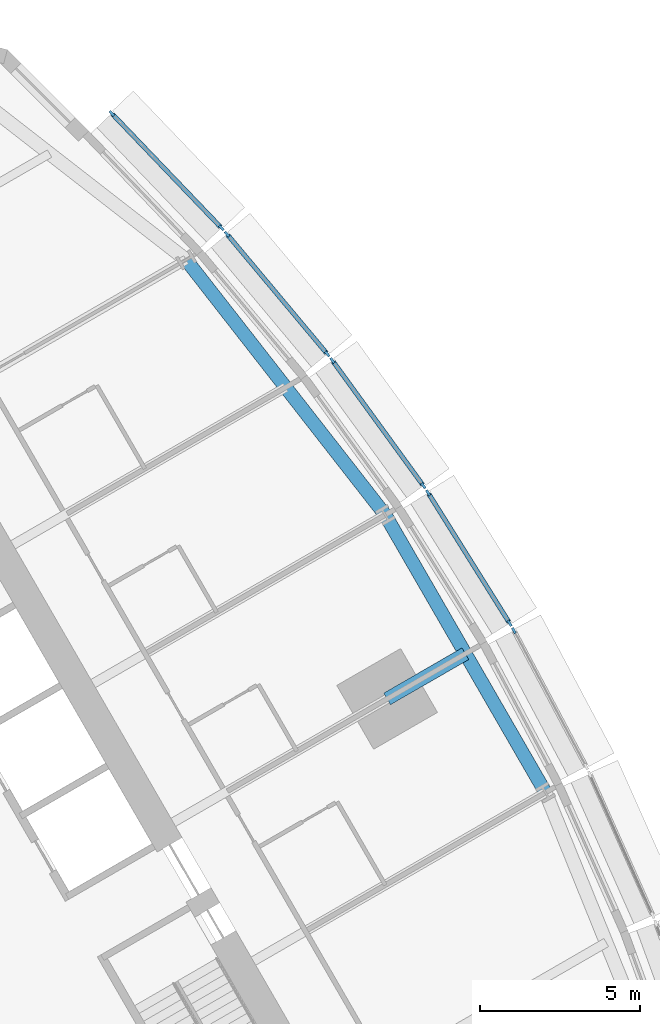
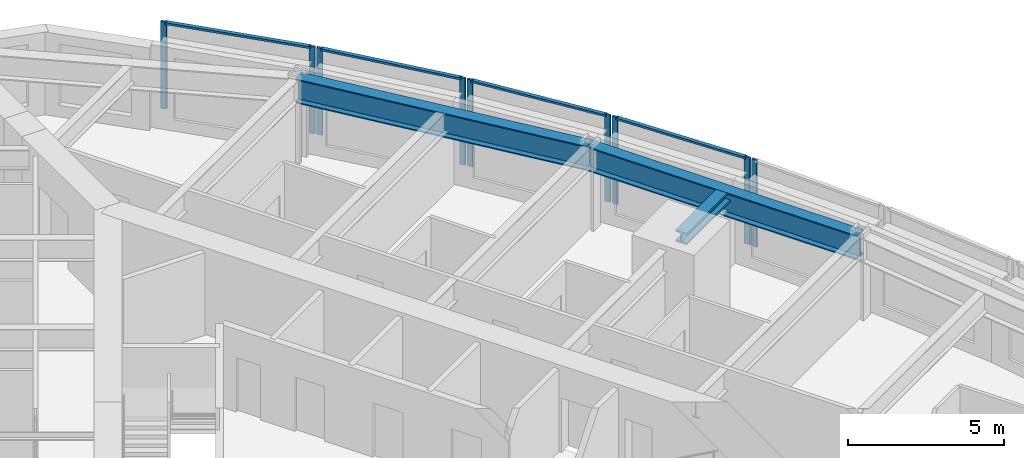
# One storey, part 5 of 14: 13 members, 3 beams, 5 elements without a shape of their own.
"""IFC4 building model written with IfcOpenShell, lengths in metres."""

import ifcopenshell
import ifcopenshell.guid

model = None  # the IFC model being written
_history = None  # IfcOwnerHistory: only IFC2X3 demands one
_inside = {}  # id of a spatial element -> (the spatial element, [elements in it])
_under = {}  # id of a project, library or spatial element -> (it, [spatial elements below it])
_declared = {}  # id of a project -> (the project, [libraries it declares])
_typed = {}  # id of a type object -> (the type object, [elements of that type])
_made_of = {}  # id of a material, layer set ... -> (it, [elements and type objects made of it])


def new_model(schema):
    """Start an empty IFC model of exactly this schema.

    Asked for "IFC4X3", IfcOpenShell would pick the latest addendum, in which some entities
    have other attributes; the version numbers below select the first issue.
    IFC2X3 requires an IfcOwnerHistory on every rooted entity: one is made here for all.
    """
    global model, _history
    if schema == "IFC4X3":
        model = ifcopenshell.file(schema_version=(4, 3, 0, 0))
    else:
        model = ifcopenshell.file(schema=schema)
    _inside.clear()
    _under.clear()
    _declared.clear()
    _typed.clear()
    _made_of.clear()
    _history = None
    if model.schema == "IFC2X3":
        org = make("IfcOrganization", Name="unknown")
        user = make(
            "IfcPersonAndOrganization",
            ThePerson=make("IfcPerson", FamilyName="unknown"),
            TheOrganization=org,
        )
        app = make(
            "IfcApplication",
            ApplicationDeveloper=org,
            Version="unknown",
            ApplicationFullName="unknown",
            ApplicationIdentifier="unknown",
        )
        _history = make(
            "IfcOwnerHistory",
            OwningUser=user,
            OwningApplication=app,
            ChangeAction="ADDED",
            CreationDate=0,
        )
    return model


def make(cls, **values):
    """One entity of the class cls with the attributes given. An attribute that is None is left unset."""
    return model.create_entity(
        cls, **{name: value for name, value in values.items() if value is not None}
    )


def rooted(cls, **values):
    """An entity with a GlobalId (a new one), such as an element, a storey or a relation."""
    return make(cls, GlobalId=ifcopenshell.guid.new(), OwnerHistory=_history, **values)


def si_unit(unit_type, name, prefix=None):
    """IfcSIUnit, for example si_unit("LENGTHUNIT", "METRE", prefix="MILLI")."""
    return make("IfcSIUnit", UnitType=unit_type, Prefix=prefix, Name=name)


def assignment(units):
    """IfcUnitAssignment: the units of a project."""
    return None if units is None else make("IfcUnitAssignment", Units=units)


def point(xyz):
    """IfcCartesianPoint."""
    return None if xyz is None else make("IfcCartesianPoint", Coordinates=xyz)


def direction(xyz):
    """IfcDirection."""
    return None if xyz is None else make("IfcDirection", DirectionRatios=xyz)


def frame(location, z_axis=None, x_axis=None):
    """IfcAxis2Placement3D, a coordinate frame: its origin and axes. An axis left out is left unset."""
    return make(
        "IfcAxis2Placement3D",
        Location=point(location),
        Axis=direction(z_axis),
        RefDirection=direction(x_axis),
    )


def frame_2d(location, x_axis=None):
    """IfcAxis2Placement2D, a coordinate frame in the plane: its origin and x axis."""
    return make(
        "IfcAxis2Placement2D", Location=point(location), RefDirection=direction(x_axis)
    )


def origin():
    """The frame at (0, 0, 0) with its axes left unset."""
    return frame((0.0, 0.0, 0.0))


def origin_2d():
    """The frame at (0, 0) in the plane with its x axis left unset."""
    return frame_2d((0.0, 0.0))


def place(relative_to, where):
    """IfcLocalPlacement: puts the frame where relative to a parent placement (None: the world)."""
    return make(
        "IfcLocalPlacement", PlacementRelTo=relative_to, RelativePlacement=where
    )


def context(
    kind, dimensions, precision=None, world=None, true_north=None, identifier=None
):
    """IfcGeometricRepresentationContext, for example the 3D "Model" context."""
    return make(
        "IfcGeometricRepresentationContext",
        ContextIdentifier=identifier,
        ContextType=kind,
        CoordinateSpaceDimension=dimensions,
        Precision=precision,
        WorldCoordinateSystem=world,
        TrueNorth=true_north,
    )


def subcontext(parent, identifier, kind, view, scale=None):
    """IfcGeometricRepresentationSubContext, for example "Body" below "Model"."""
    return make(
        "IfcGeometricRepresentationSubContext",
        ContextIdentifier=identifier,
        ContextType=kind,
        ParentContext=parent,
        TargetScale=scale,
        TargetView=view,
    )


def project(units=None, contexts=None):
    """IfcProject with its units and contexts."""
    return rooted(
        "IfcProject",
        Name="project",
        RepresentationContexts=contexts,
        UnitsInContext=assignment(units),
    )


def spatial(cls, under=None, at=None, **own):
    """A site, building, storey or space (cls), placed at a placement, below another one or the project."""
    s = rooted(cls, ObjectPlacement=at, **own)
    if under is not None:
        _under.setdefault(under.id(), (under, []))[1].append(s)
    return s


def profile(cls, at=None, kind="AREA", **sizes):
    """A parametric profile (cls). Its sizes go by their IFC names, for example OverallWidth=200.0."""
    return make(cls, ProfileType=kind, Position=at, **sizes)


def rectangle(**sizes):
    """IfcRectangleProfileDef."""
    return profile("IfcRectangleProfileDef", **sizes)


def i_section(**sizes):
    """IfcIShapeProfileDef."""
    return profile("IfcIShapeProfileDef", **sizes)


def extrude(swept, where, along, depth):
    """IfcExtrudedAreaSolid: the profile swept, set in the frame where, extruded along a direction by depth."""
    return make(
        "IfcExtrudedAreaSolid",
        SweptArea=swept,
        Position=where,
        ExtrudedDirection=direction(along),
        Depth=depth,
    )


def shape(context_of_items, identifier, shape_type, items):
    """IfcShapeRepresentation: the items that make up one representation, for example the "Body"."""
    return make(
        "IfcShapeRepresentation",
        ContextOfItems=context_of_items,
        RepresentationIdentifier=identifier,
        RepresentationType=shape_type,
        Items=items,
    )


def material(Name=None, Category=None):
    """IfcMaterial."""
    return make("IfcMaterial", Name=Name, Category=Category)


def material_profile(
    of_material, cross_section, Name=None, Category=None, Priority=None
):
    """IfcMaterialProfile: a cross section and its material."""
    return make(
        "IfcMaterialProfile",
        Name=Name,
        Material=of_material,
        Profile=cross_section,
        Priority=Priority,
        Category=Category,
    )


def profile_set(profiles, Name=None, composite=None):
    """IfcMaterialProfileSet."""
    return make(
        "IfcMaterialProfileSet",
        Name=Name,
        MaterialProfiles=profiles,
        CompositeProfile=composite,
    )


def made_of(thing, what):
    """Note that an element or type object is made of a material, layer set ...; save() writes the relation."""
    if what is not None:
        _made_of.setdefault(what.id(), (what, []))[1].append(thing)
    return thing


def type_object(cls, material=None, **own):
    """A type object (cls), such as IfcWallType, which elements share."""
    return made_of(rooted(cls, **own), material)


def element(
    cls,
    number,
    at=None,
    inside=None,
    cuts=None,
    type_object=None,
    material=None,
    context=None,
    identifier="Body",
    shape_type=None,
    held_by="IfcProductDefinitionShape",
    body=None,
    shapes=None,
    **own,
):
    """One element of the class cls, such as IfcWall. Its Tag is "e" and its number.

    at: its placement. inside: the storey or other place that contains it. cuts: it is an
    opening in that element (IfcRelVoidsElement). A single representation is given by context,
    identifier, shape_type and body (its items); several are given by shapes. held_by: the class
    of the entity that holds the representations. save() writes the other relations.
    """
    e = rooted(cls, Tag="e%d" % number, ObjectPlacement=at, **own)
    if body is not None:
        shapes = [shape(context, identifier, shape_type, body)]
    if shapes is not None:
        e.Representation = make(held_by, Representations=shapes)
    if inside is not None:
        _inside.setdefault(inside.id(), (inside, []))[1].append(e)
    if cuts is not None:
        rooted(
            "IfcRelVoidsElement", RelatingBuildingElement=cuts, RelatedOpeningElement=e
        )
    if type_object is not None:
        _typed.setdefault(type_object.id(), (type_object, []))[1].append(e)
    return made_of(e, material)


def aggregate(whole, parts):
    """IfcRelAggregates: a whole, such as a stair, and the parts it consists of."""
    return rooted("IfcRelAggregates", RelatingObject=whole, RelatedObjects=parts)


def save(model, path):
    """Write the relations noted so far, then the file.

    IfcRelAggregates (storeys below a building ...), IfcRelContainedInSpatialStructure (elements
    in a storey), IfcRelDefinesByType, IfcRelAssociatesMaterial and IfcRelDeclares: one each for
    every whole, place, type object, material and project.
    """
    for whole, parts in _under.values():
        aggregate(whole, parts)
    for where, things in _inside.values():
        rooted(
            "IfcRelContainedInSpatialStructure",
            RelatedElements=things,
            RelatingStructure=where,
        )
    for kind, things in _typed.values():
        rooted("IfcRelDefinesByType", RelatedObjects=things, RelatingType=kind)
    for what, things in _made_of.values():
        rooted("IfcRelAssociatesMaterial", RelatedObjects=things, RelatingMaterial=what)
    for by, libraries in _declared.values():
        rooted("IfcRelDeclares", RelatingContext=by, RelatedDefinitions=libraries)
    model.write(path)


model = new_model("IFC4")

# Units and contexts
model_context = context("Model", 3, precision=1e-05, world=origin(), true_north=direction((0.0, 1.0)))
body_context = subcontext(model_context, "Body", "Model", "MODEL_VIEW")
ifc_project = project(units=[si_unit("LENGTHUNIT", "METRE"), si_unit("AREAUNIT", "SQUARE_METRE"), si_unit("VOLUMEUNIT", "CUBIC_METRE"), si_unit("PLANEANGLEUNIT", "RADIAN"), si_unit("MASSUNIT", "GRAM", prefix="KILO")], contexts=[model_context])

# Site, building, storey
site_placement = place(None, origin())
site = spatial("IfcSite", under=ifc_project, at=site_placement, CompositionType="ELEMENT")
building_placement = place(site_placement, origin())
building = spatial("IfcBuilding", under=site, at=building_placement, Name="Trikona Tower", CompositionType="ELEMENT")
storey_placement = place(building_placement, frame((0.0, 0.0, 118.10009765625)))
storey = spatial("IfcBuildingStorey", under=building, at=storey_placement, Name="L30", CompositionType="ELEMENT", Elevation=118.10009765625)

# Curtain wall, member
ifc_material_1 = material(Name="Aluminium curtain wall system", Category="aluminium")
curtain_wall_type = type_object("IfcCurtainWallType", Name="Curtain wall DS2", PredefinedType="NOTDEFINED", material=ifc_material_1)
curtain_wall_1_placement = place(storey_placement, origin())
curtain_wall_1 = element("IfcCurtainWall", 1, at=curtain_wall_1_placement, inside=storey, type_object=curtain_wall_type, Name="Curtain wall DS2 L30", PredefinedType="NOTDEFINED")
ifc_material_2 = material(Name="Aluminium mullion, pale anodised", Category="aluminium")
ifc_material_profile_1 = material_profile(ifc_material_2, rectangle(XDim=0.080078125, YDim=0.199951171875, at=origin_2d()), Name="MUL-DS2")
ifc_profile_set_1 = profile_set([ifc_material_profile_1], Name="Aluminium mullion, pale anodised")
member_type_1 = type_object("IfcMemberType", Name="Mullion DS2 80x200", PredefinedType="MULLION", material=ifc_profile_set_1)
member_1_placement = place(storey_placement, frame((19.2666015625, 10.9716796875, 0.0), z_axis=(0.0, 0.0, 1.0), x_axis=(-0.882996107343, -0.469380308937, 0.0)))
member_1 = element("IfcMember", 2, at=member_1_placement, type_object=member_type_1, Name="CW-DS2 mullion 2", PredefinedType="MULLION", context=body_context, shape_type="SweptSolid", body=[
    extrude(rectangle(XDim=0.080078125, YDim=0.199951171875, at=origin_2d()), origin(), (0.0, 0.0, 1.0), 3.39990234375),
])
aggregate(curtain_wall_1, [member_1])

# Curtain wall, members
curtain_wall_2_placement = place(storey_placement, origin())
curtain_wall_2 = element("IfcCurtainWall", 3, at=curtain_wall_2_placement, inside=storey, type_object=curtain_wall_type, Name="Curtain wall DS2 L30", PredefinedType="NOTDEFINED")
member_2_placement = place(storey_placement, frame((19.135009765625, 11.199462890625, 0.0), z_axis=(0.0, 0.0, 1.0), x_axis=(-0.847998304006, -0.529998940002, 0.0)))
member_2 = element("IfcMember", 4, at=member_2_placement, type_object=member_type_1, Name="CW-DS2 mullion 1", PredefinedType="MULLION", context=body_context, shape_type="SweptSolid", body=[
    extrude(rectangle(XDim=0.080078125, YDim=0.199951171875, at=origin_2d()), origin(), (0.0, 0.0, 1.0), 3.39990234375),
])
member_3_placement = place(storey_placement, frame((16.589599609375, 15.2724609375, 0.0), z_axis=(0.0, 0.0, 1.0), x_axis=(-0.847998304006, -0.529998940002, 0.0)))
member_3 = element("IfcMember", 5, at=member_3_placement, type_object=member_type_1, Name="CW-DS2 mullion 2", PredefinedType="MULLION", context=body_context, shape_type="SweptSolid", body=[
    extrude(rectangle(XDim=0.080078125, YDim=0.199951171875, at=origin_2d()), origin(), (0.0, 0.0, 1.0), 3.39990234375),
])

curtain_wall_3_placement = place(storey_placement, origin())
curtain_wall_3 = element("IfcCurtainWall", 6, at=curtain_wall_3_placement, inside=storey, type_object=curtain_wall_type, Name="Curtain wall DS2 L30", PredefinedType="NOTDEFINED")
member_4_placement = place(storey_placement, frame((16.442626953125, 15.489990234375, 0.0), z_axis=(0.0, 0.0, 1.0), x_axis=(-0.80908576332, -0.587690588313, 0.0)))
member_4 = element("IfcMember", 7, at=member_4_placement, type_object=member_type_1, Name="CW-DS2 mullion 1", PredefinedType="MULLION", context=body_context, shape_type="SweptSolid", body=[
    extrude(rectangle(XDim=0.080078125, YDim=0.199951171875, at=origin_2d()), origin(), (0.0, 0.0, 1.0), 3.39990234375),
])
member_5_placement = place(storey_placement, frame((13.605712890625, 19.39599609375, 0.0), z_axis=(0.0, 0.0, 1.0), x_axis=(-0.80908576332, -0.587690588313, 0.0)))
member_5 = element("IfcMember", 8, at=member_5_placement, type_object=member_type_1, Name="CW-DS2 mullion 2", PredefinedType="MULLION", context=body_context, shape_type="SweptSolid", body=[
    extrude(rectangle(XDim=0.080078125, YDim=0.199951171875, at=origin_2d()), origin(), (0.0, 0.0, 1.0), 3.39990234375),
])

curtain_wall_4_placement = place(storey_placement, origin())
curtain_wall_4 = element("IfcCurtainWall", 9, at=curtain_wall_4_placement, inside=storey, type_object=curtain_wall_type, Name="Curtain wall DS2 L30", PredefinedType="NOTDEFINED")
member_6_placement = place(storey_placement, frame((13.44482421875, 19.602294921875, 0.0), z_axis=(0.0, 0.0, 1.0), x_axis=(-0.766866678271, -0.641806433248, 0.0)))
member_6 = element("IfcMember", 10, at=member_6_placement, type_object=member_type_1, Name="CW-DS2 mullion 1", PredefinedType="MULLION", context=body_context, shape_type="SweptSolid", body=[
    extrude(rectangle(XDim=0.080078125, YDim=0.199951171875, at=origin_2d()), origin(), (0.0, 0.0, 1.0), 3.39990234375),
])
member_7_placement = place(storey_placement, frame((10.315185546875, 23.34130859375, 0.0), z_axis=(0.0, 0.0, 1.0), x_axis=(-0.766866678271, -0.641806433248, 0.0)))
member_7 = element("IfcMember", 11, at=member_7_placement, type_object=member_type_1, Name="CW-DS2 mullion 2", PredefinedType="MULLION", context=body_context, shape_type="SweptSolid", body=[
    extrude(rectangle(XDim=0.080078125, YDim=0.199951171875, at=origin_2d()), origin(), (0.0, 0.0, 1.0), 3.39990234375),
])

curtain_wall_5_placement = place(storey_placement, origin())
curtain_wall_5 = element("IfcCurtainWall", 12, at=curtain_wall_5_placement, inside=storey, type_object=curtain_wall_type, Name="Curtain wall DS2 L30", PredefinedType="NOTDEFINED")
member_8_placement = place(storey_placement, frame((10.1416015625, 23.535400390625, 0.0), z_axis=(0.0, 0.0, 1.0), x_axis=(-0.722158330767, -0.691727797117, 0.0)))
member_8 = element("IfcMember", 13, at=member_8_placement, type_object=member_type_1, Name="CW-DS2 mullion 1", PredefinedType="MULLION", context=body_context, shape_type="SweptSolid", body=[
    extrude(rectangle(XDim=0.080078125, YDim=0.199951171875, at=origin_2d()), origin(), (0.0, 0.0, 1.0), 3.39990234375),
])
member_9_placement = place(storey_placement, frame((6.718994140625, 27.1083984375, 0.0), z_axis=(0.0, 0.0, 1.0), x_axis=(-0.722158330767, -0.691727797117, 0.0)))
member_9 = element("IfcMember", 14, at=member_9_placement, type_object=member_type_1, Name="CW-DS2 mullion 2", PredefinedType="MULLION", context=body_context, shape_type="SweptSolid", body=[
    extrude(rectangle(XDim=0.080078125, YDim=0.199951171875, at=origin_2d()), origin(), (0.0, 0.0, 1.0), 3.39990234375),
])

# Beams
ifc_material_3 = material(Name="Steel ASTM A992 Grade 50", Category="steel")
ifc_material_profile_2 = material_profile(ifc_material_3, i_section(OverallWidth=0.419189453125, OverallDepth=0.45458984375, WebThickness=0.042236328125, FlangeThickness=0.067626953125, at=origin_2d()), Name="W14X370")
ifc_profile_set_2 = profile_set([ifc_material_profile_2], Name="Steel ASTM A992 Grade 50")
beam_type_1 = type_object("IfcBeamType", Name="Steel beam W14x370 (apex bracket)", PredefinedType="BEAM", material=ifc_profile_set_2)
beam_1_placement = place(storey_placement, frame((15.311767578125, 8.84033203125, 3.007568359375), z_axis=(0.86605005072, 0.499957307824, 0.0), x_axis=(-0.499957307824, 0.86605005072, 0.0)))
element("IfcBeam", 15, at=beam_1_placement, inside=storey, type_object=beam_type_1, Name="Cantilever bracket L31 F2", PredefinedType="BEAM", context=body_context, shape_type="SweptSolid", body=[
    extrude(i_section(OverallWidth=0.419189453125, OverallDepth=0.45458984375, WebThickness=0.042236328125, FlangeThickness=0.067626953125, at=origin_2d()), origin(), (0.0, 0.0, 1.0), 2.819580078125),
])
ifc_material_4 = material(Name="Steel ASTM A992 Grade 50", Category="steel")
ifc_material_profile_3 = material_profile(ifc_material_4, i_section(OverallWidth=0.424072265625, OverallDepth=0.947509765625, WebThickness=0.02392578125, FlangeThickness=0.042724609375, at=origin_2d()), Name="W36X302")
ifc_profile_set_3 = profile_set([ifc_material_profile_3], Name="Steel ASTM A992 Grade 50")
beam_type_2 = type_object("IfcBeamType", Name="Steel beam W36x302 (spandrel)", PredefinedType="SPANDREL", material=ifc_profile_set_3)
beam_2_placement = place(storey_placement, frame((20.253662109375, 5.919921875, 2.76123046875), z_axis=(-0.500004234368, 0.866022959057, 0.0), x_axis=(-0.866022959057, -0.500004234368, 0.0)))
element("IfcBeam", 16, at=beam_2_placement, inside=storey, type_object=beam_type_2, Name="Spandrel beam L31 F2-3", PredefinedType="SPANDREL", context=body_context, shape_type="SweptSolid", body=[
    extrude(i_section(OverallWidth=0.424072265625, OverallDepth=0.947509765625, WebThickness=0.02392578125, FlangeThickness=0.042724609375, at=origin_2d()), origin(), (0.0, 0.0, 1.0), 10.0),
])
beam_3_placement = place(storey_placement, frame((15.253662109375, 14.580078125, 2.76123046875), z_axis=(-0.615232009054, 0.788346101046, 0.0), x_axis=(-0.788346101046, -0.615232009054, 0.0)))
element("IfcBeam", 17, at=beam_3_placement, inside=storey, type_object=beam_type_2, Name="Spandrel beam L31 F2-4", PredefinedType="SPANDREL", context=body_context, shape_type="SweptSolid", body=[
    extrude(i_section(OverallWidth=0.424072265625, OverallDepth=0.947509765625, WebThickness=0.02392578125, FlangeThickness=0.042724609375, at=origin_2d()), origin(), (0.0, 0.0, 1.0), 10.09765625),
])

# Member
ifc_material_5 = material(Name="Aluminium transom, pale anodised", Category="aluminium")
ifc_material_profile_4 = material_profile(ifc_material_5, rectangle(XDim=0.139892578125, YDim=0.080078125, at=origin_2d()), Name="TRN-DS2")
ifc_profile_set_4 = profile_set([ifc_material_profile_4], Name="Aluminium transom, pale anodised")
member_type_2 = type_object("IfcMemberType", Name="Transom DS2 80x140", PredefinedType="USERDEFINED", material=ifc_profile_set_4)
member_10_placement = place(storey_placement, frame((19.114013671875, 11.2333984375, 3.35986328125), z_axis=(-0.530031463794, 0.847977975769, 0.0), x_axis=(-0.847977975769, -0.530031463794, 0.0)))
member_10 = element("IfcMember", 18, at=member_10_placement, type_object=member_type_2, Name="CW-DS2 transom 1.1", ObjectType="TRANSOM", PredefinedType="USERDEFINED", context=body_context, shape_type="SweptSolid", body=[
    extrude(rectangle(XDim=0.139892578125, YDim=0.080078125, at=origin_2d()), origin(), (0.0, 0.0, 1.0), 4.72314453125),
])

aggregate(curtain_wall_2, [member_2, member_3, member_10])

member_11_placement = place(storey_placement, frame((16.419189453125, 15.5224609375, 3.35986328125), z_axis=(-0.587694585883, 0.809082859616, 0.0), x_axis=(-0.809082859616, -0.587694585883, 0.0)))
member_11 = element("IfcMember", 19, at=member_11_placement, type_object=member_type_2, Name="CW-DS2 transom 1.1", ObjectType="TRANSOM", PredefinedType="USERDEFINED", context=body_context, shape_type="SweptSolid", body=[
    extrude(rectangle(XDim=0.139892578125, YDim=0.080078125, at=origin_2d()), origin(), (0.0, 0.0, 1.0), 4.747314453125),
])

aggregate(curtain_wall_3, [member_4, member_5, member_11])

member_12_placement = place(storey_placement, frame((13.4189453125, 19.6328125, 3.35986328125), z_axis=(-0.641770294892, 0.766896921753, 0.0), x_axis=(-0.766896921753, -0.641770294892, 0.0)))
member_12 = element("IfcMember", 20, at=member_12_placement, type_object=member_type_2, Name="CW-DS2 transom 1.1", ObjectType="TRANSOM", PredefinedType="USERDEFINED", context=body_context, shape_type="SweptSolid", body=[
    extrude(rectangle(XDim=0.139892578125, YDim=0.080078125, at=origin_2d()), origin(), (0.0, 0.0, 1.0), 4.7958984375),
])

aggregate(curtain_wall_4, [member_6, member_7, member_12])

member_13_placement = place(storey_placement, frame((10.114013671875, 23.564208984375, 3.35986328125), z_axis=(-0.691721246785, 0.722164605022, 0.0), x_axis=(-0.722164605022, -0.691721246785, 0.0)))
member_13 = element("IfcMember", 21, at=member_13_placement, type_object=member_type_2, Name="CW-DS2 transom 1.1", ObjectType="TRANSOM", PredefinedType="USERDEFINED", context=body_context, shape_type="SweptSolid", body=[
    extrude(rectangle(XDim=0.139892578125, YDim=0.080078125, at=origin_2d()), origin(), (0.0, 0.0, 1.0), 4.867919921875),
])

aggregate(curtain_wall_5, [member_8, member_9, member_13])

save(model, "model.ifc")
